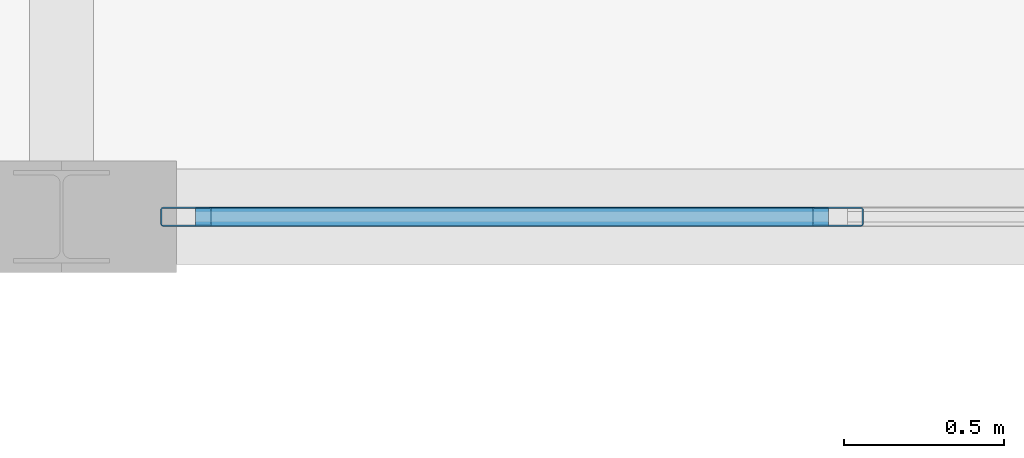
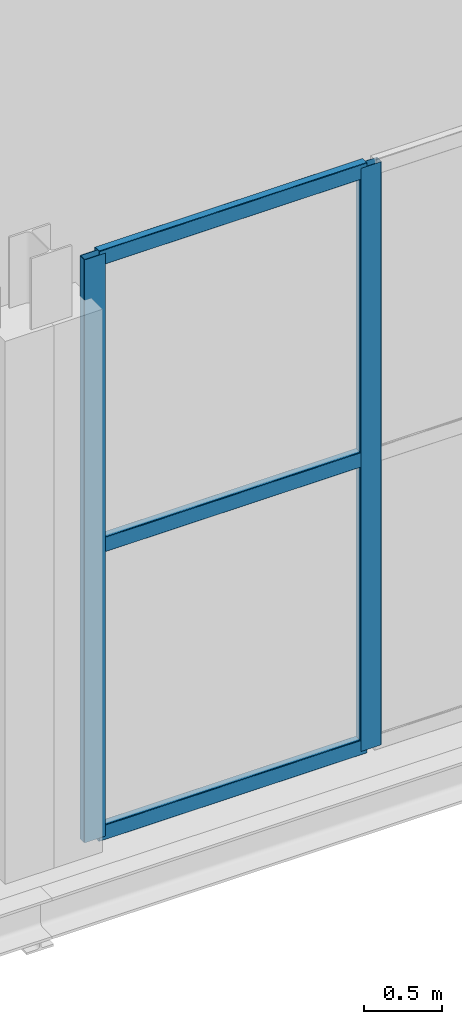
# One storey, part 60 of 120: 5 members, 1 element without a shape of its own.
"""IFC4 building model written with IfcOpenShell, lengths in metres."""

from ifc_helpers import new_model, si_unit, direction, frame, origin, origin_2d, place, context, subcontext, project, spatial, hollow_rectangle, extrude, material, layer, layer_set, material_profile, profile_set, type_object, element, aggregate, save


model = new_model("IFC4")

# Units and contexts
model_context = context("Model", 3, precision=1e-05, world=origin(), true_north=direction((0.0, 1.0)))
body_context = subcontext(model_context, "Body", "Model", "MODEL_VIEW")
ifc_project = project(units=[si_unit("LENGTHUNIT", "METRE"), si_unit("AREAUNIT", "SQUARE_METRE"), si_unit("VOLUMEUNIT", "CUBIC_METRE"), si_unit("PLANEANGLEUNIT", "RADIAN"), si_unit("MASSUNIT", "GRAM", prefix="KILO")], contexts=[model_context])

# Site, building, storey
site_placement = place(None, origin())
site = spatial("IfcSite", under=ifc_project, at=site_placement, CompositionType="ELEMENT")
building_placement = place(site_placement, origin())
building = spatial("IfcBuilding", under=site, at=building_placement, Name="Vekula Escarpment Museum", CompositionType="ELEMENT")
storey_placement = place(building_placement, frame((0.0, 0.0, 13.199951171875)))
storey = spatial("IfcBuildingStorey", under=building, at=storey_placement, Name="L03", CompositionType="ELEMENT", Elevation=13.199951171875)

# Curtain wall, members
ifc_material_1 = material(Name="Aluminium thermally broken framing", Category="aluminium")
ifc_layer = layer(ifc_material_1, 0.199951171875)
ifc_layer_set = layer_set([ifc_layer], Name="Aluminium thermally broken framing")
curtain_wall_type = type_object("IfcCurtainWallType", Name="CW-SYS-03", PredefinedType="NOTDEFINED", material=ifc_layer_set)
curtain_wall_placement = place(storey_placement, origin())
curtain_wall = element("IfcCurtainWall", 1, at=curtain_wall_placement, inside=storey, type_object=curtain_wall_type, Name="Curtain Wall CW-L03-113", PredefinedType="NOTDEFINED")
ifc_material_2 = material(Name="Aluminium anodized mullion", Category="aluminium")
ifc_material_profile_1 = material_profile(ifc_material_2, hollow_rectangle(XDim=0.06005859375, YDim=0.159912109375, WallThickness=0.00390625, InnerFilletRadius=0.00390625, OuterFilletRadius=0.008056640625, at=origin_2d()), Name="ALU 160x60x4")
ifc_profile_set_1 = profile_set([ifc_material_profile_1], Name="Aluminium anodized mullion")
member_type_1 = type_object("IfcMemberType", Name="CW-MUL-160", PredefinedType="MULLION", material=ifc_profile_set_1)
member_1_placement = place(storey_placement, frame((146.389892578125, 68.0, 0.0), z_axis=(0.0, 0.0, 1.0), x_axis=(0.0, 1.0, 0.0)))
member_1 = element("IfcMember", 2, at=member_1_placement, type_object=member_type_1, Name="CW-03 mullion 1", PredefinedType="MULLION", context=body_context, shape_type="SweptSolid", body=[
    extrude(hollow_rectangle(XDim=0.06005859375, YDim=0.159912109375, WallThickness=0.00390625, InnerFilletRadius=0.00390625, OuterFilletRadius=0.008056640625, at=origin_2d()), origin(), (0.0, 0.0, 1.0), 4.56005859375),
])
member_2_placement = place(storey_placement, frame((148.429931640625, 68.0, 0.0), z_axis=(0.0, 0.0, 1.0), x_axis=(0.0, 1.0, 0.0)))
member_2 = element("IfcMember", 3, at=member_2_placement, type_object=member_type_1, Name="CW-03 mullion 2", PredefinedType="MULLION", context=body_context, shape_type="SweptSolid", body=[
    extrude(hollow_rectangle(XDim=0.06005859375, YDim=0.159912109375, WallThickness=0.00390625, InnerFilletRadius=0.00390625, OuterFilletRadius=0.008056640625, at=origin_2d()), origin(), (0.0, 0.0, 1.0), 4.56005859375),
])
ifc_material_3 = material(Name="Aluminium anodized transom", Category="aluminium")
ifc_material_profile_2 = material_profile(ifc_material_3, hollow_rectangle(XDim=0.06005859375, YDim=0.1201171875, WallThickness=0.00390625, InnerFilletRadius=0.00390625, OuterFilletRadius=0.008056640625, at=origin_2d()), Name="ALU 120x60x4")
ifc_profile_set_2 = profile_set([ifc_material_profile_2], Name="Aluminium anodized transom")
member_type_2 = type_object("IfcMemberType", Name="CW-TRN-120", PredefinedType="USERDEFINED", material=ifc_profile_set_2)
member_3_placement = place(storey_placement, frame((146.419921875, 68.0, 0.030029296875), z_axis=(1.0, 0.0, 0.0), x_axis=(0.0, 1.0, 0.0)))
member_3 = element("IfcMember", 4, at=member_3_placement, type_object=member_type_2, Name="CW-03 transom 1.1", ObjectType="TRANSOM", PredefinedType="USERDEFINED", context=body_context, shape_type="SweptSolid", body=[
    extrude(hollow_rectangle(XDim=0.06005859375, YDim=0.1201171875, WallThickness=0.00390625, InnerFilletRadius=0.00390625, OuterFilletRadius=0.008056640625, at=origin_2d()), origin(), (0.0, 0.0, 1.0), 1.97998046875),
])
member_4_placement = place(storey_placement, frame((146.419921875, 68.0, 2.280029296875), z_axis=(1.0, 0.0, 0.0), x_axis=(0.0, 1.0, 0.0)))
member_4 = element("IfcMember", 5, at=member_4_placement, type_object=member_type_2, Name="CW-03 transom 1.2", ObjectType="TRANSOM", PredefinedType="USERDEFINED", context=body_context, shape_type="SweptSolid", body=[
    extrude(hollow_rectangle(XDim=0.06005859375, YDim=0.1201171875, WallThickness=0.00390625, InnerFilletRadius=0.00390625, OuterFilletRadius=0.008056640625, at=origin_2d()), origin(), (0.0, 0.0, 1.0), 1.97998046875),
])
member_5_placement = place(storey_placement, frame((146.419921875, 68.0, 4.530029296875), z_axis=(1.0, 0.0, 0.0), x_axis=(0.0, 1.0, 0.0)))
member_5 = element("IfcMember", 6, at=member_5_placement, type_object=member_type_2, Name="CW-03 transom 1.3", ObjectType="TRANSOM", PredefinedType="USERDEFINED", context=body_context, shape_type="SweptSolid", body=[
    extrude(hollow_rectangle(XDim=0.06005859375, YDim=0.1201171875, WallThickness=0.00390625, InnerFilletRadius=0.00390625, OuterFilletRadius=0.008056640625, at=origin_2d()), origin(), (0.0, 0.0, 1.0), 1.97998046875),
])
aggregate(curtain_wall, [member_1, member_2, member_3, member_4, member_5])

save(model, "model.ifc")
